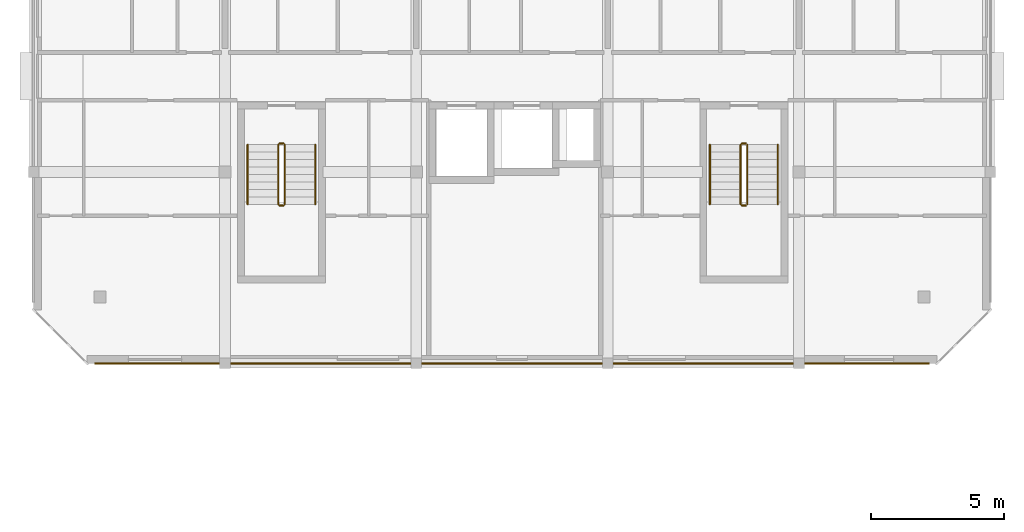
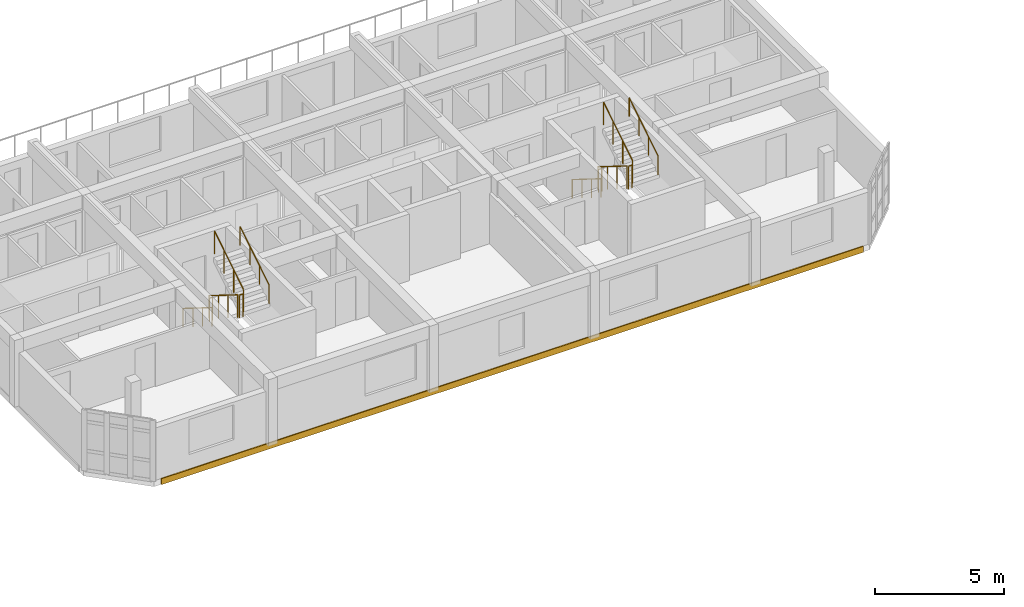
# One storey, part 15 of 16: 12 railings, 1 covering.
"""IFC4 building model written with IfcOpenShell, lengths in metres."""

from ifc_helpers import new_model, si_unit, direction, frame, origin, origin_2d, place, context, subcontext, project, spatial, rectangle, circle, extrude, material, layer, layer_set, type_object, element, save


model = new_model("IFC4")

# Units and contexts
model_context = context("Model", 3, precision=1e-05, world=origin(), true_north=direction((0.0, 1.0)))
body_context = subcontext(model_context, "Body", "Model", "MODEL_VIEW")
ifc_project = project(units=[si_unit("LENGTHUNIT", "METRE"), si_unit("AREAUNIT", "SQUARE_METRE"), si_unit("VOLUMEUNIT", "CUBIC_METRE"), si_unit("PLANEANGLEUNIT", "RADIAN"), si_unit("MASSUNIT", "GRAM", prefix="KILO")], contexts=[model_context])

# Site, building, storey
site_placement = place(None, origin())
site = spatial("IfcSite", under=ifc_project, at=site_placement, CompositionType="ELEMENT")
building_placement = place(site_placement, origin())
building = spatial("IfcBuilding", under=site, at=building_placement, Name="Ochrevale Crest", CompositionType="ELEMENT")
storey_placement = place(building_placement, frame((0.0, 0.0, 46.5)))
storey = spatial("IfcBuildingStorey", under=building, at=storey_placement, Name="L14", CompositionType="ELEMENT", Elevation=46.5)

# Covering
ifc_material_1 = material(Name="Glazed terracotta rainscreen tile", Category="masonry")
ifc_layer = layer(ifc_material_1, 0.048095703125)
ifc_layer_set = layer_set([ifc_layer], Name="Glazed terracotta rainscreen tile")
covering_type = type_object("IfcCoveringType", Name="COV-CLAD-TER", PredefinedType="CLADDING", material=ifc_layer_set)
covering_placement = place(storey_placement, frame((147.60009765625, 71.985595703125, -0.26025390625), z_axis=(0.0, 0.0, 1.0), x_axis=(1.0, 0.0, 0.0)))
element("IfcCovering", 1, at=covering_placement, inside=storey, type_object=covering_type, Name="Block D L14 terracotta slab-edge spandrel cladding", PredefinedType="CLADDING", context=body_context, shape_type="SweptSolid", body=[
    extrude(rectangle(XDim=31.39990234375, YDim=0.06005859375, at=origin_2d()), origin(), (0.0, 0.0, 1.0), 0.280029296875),
])

# Railings
ifc_material_2 = material(Name="Galvanised steel", Category="steel")
railing_type_1 = type_object("IfcRailingType", Name="RL-ST-GUARD", PredefinedType="BALUSTRADE", material=ifc_material_2)
railing_1_placement = place(storey_placement, frame((138.800048828125, 80.22509765625, 0.175048828125)))
element("IfcRailing", 2, at=railing_1_placement, inside=storey, type_object=railing_type_1, Name="L14 ST-D1 stair guard 1", PredefinedType="BALUSTRADE", context=body_context, shape_type="SweptSolid", body=[
    extrude(circle(Radius=0.02392578125, at=origin_2d()), frame((0.0, 0.0, 1.076171875), z_axis=(0.0, -0.848013881152, 0.529974015752), x_axis=(1.0, 0.0, 0.0)), (0.0, 0.0, 1.0), 2.641357421875),
    extrude(circle(Radius=0.02099609375, at=origin_2d()), origin(), (0.0, 0.0, 1.0), 1.052001953125),
    extrude(circle(Radius=0.02099609375, at=origin_2d()), frame((0.0, -0.74658203125, 0.466552734375)), (0.0, 0.0, 1.0), 1.052001953125),
    extrude(circle(Radius=0.02099609375, at=origin_2d()), frame((0.0, -1.493408203125, 0.933349609375)), (0.0, 0.0, 1.0), 1.052001953125),
    extrude(circle(Radius=0.02099609375, at=origin_2d()), frame((0.0, -2.239990234375, 1.39990234375)), (0.0, 0.0, 1.0), 1.052001953125),
])
railing_2_placement = place(storey_placement, frame((138.85009765625, 77.93505859375, 1.574951171875)))
element("IfcRailing", 3, at=railing_2_placement, inside=storey, type_object=railing_type_1, Name="L14 ST-D1 stair guard 2", PredefinedType="BALUSTRADE", context=body_context, shape_type="SweptSolid", body=[
    extrude(circle(Radius=0.02392578125, at=origin_2d()), frame((0.0, 0.0, 1.076171875), z_axis=(1.0, 0.0, 0.0), x_axis=(0.0, 1.0, 0.0)), (0.0, 0.0, 1.0), 0.14990234375),
    extrude(circle(Radius=0.02099609375, at=origin_2d()), origin(), (0.0, 0.0, 1.0), 1.052001953125),
    extrude(circle(Radius=0.02099609375, at=origin_2d()), frame((0.14990234375, 0.0, 0.0)), (0.0, 0.0, 1.0), 1.052001953125),
])
railing_3_placement = place(storey_placement, frame((139.050048828125, 77.985107421875, 1.75)))
element("IfcRailing", 4, at=railing_3_placement, inside=storey, type_object=railing_type_1, Name="L14 ST-D1 stair guard 3", PredefinedType="BALUSTRADE", context=body_context, shape_type="SweptSolid", body=[
    extrude(circle(Radius=0.02392578125, at=origin_2d()), frame((0.0, 0.0, 1.076171875), z_axis=(0.0, 0.848013881152, 0.529974015752), x_axis=(-1.0, 0.0, 0.0)), (0.0, 0.0, 1.0), 2.641357421875),
    extrude(circle(Radius=0.02099609375, at=origin_2d()), origin(), (0.0, 0.0, 1.0), 1.052001953125),
    extrude(circle(Radius=0.02099609375, at=origin_2d()), frame((0.0, 0.74658203125, 0.466552734375)), (0.0, 0.0, 1.0), 1.052001953125),
    extrude(circle(Radius=0.02099609375, at=origin_2d()), frame((0.0, 1.493408203125, 0.933349609375)), (0.0, 0.0, 1.0), 1.052001953125),
    extrude(circle(Radius=0.02099609375, at=origin_2d()), frame((0.0, 2.239990234375, 1.39990234375)), (0.0, 0.0, 1.0), 1.052001953125),
])
railing_4_placement = place(storey_placement, frame((138.85009765625, 80.27490234375, 0.0)))
element("IfcRailing", 5, at=railing_4_placement, inside=storey, type_object=railing_type_1, Name="L14 ST-D1 stair guard 4", PredefinedType="BALUSTRADE", context=body_context, shape_type="SweptSolid", body=[
    extrude(circle(Radius=0.02392578125, at=origin_2d()), frame((0.0, 0.0, 1.076171875), z_axis=(1.0, 0.0, 0.0), x_axis=(0.0, 1.0, 0.0)), (0.0, 0.0, 1.0), 0.14990234375),
    extrude(circle(Radius=0.02099609375, at=origin_2d()), origin(), (0.0, 0.0, 1.0), 1.052001953125),
    extrude(circle(Radius=0.02099609375, at=origin_2d()), frame((0.14990234375, 0.0, 0.0)), (0.0, 0.0, 1.0), 1.052001953125),
])
railing_5_placement = place(storey_placement, frame((156.199951171875, 80.22509765625, 0.175048828125)))
element("IfcRailing", 6, at=railing_5_placement, inside=storey, type_object=railing_type_1, Name="L14 ST-D2 stair guard 1", PredefinedType="BALUSTRADE", context=body_context, shape_type="SweptSolid", body=[
    extrude(circle(Radius=0.02392578125, at=origin_2d()), frame((0.0, 0.0, 1.076171875), z_axis=(0.0, -0.848013881152, 0.529974015752), x_axis=(1.0, 0.0, 0.0)), (0.0, 0.0, 1.0), 2.641357421875),
    extrude(circle(Radius=0.02099609375, at=origin_2d()), origin(), (0.0, 0.0, 1.0), 1.052001953125),
    extrude(circle(Radius=0.02099609375, at=origin_2d()), frame((0.0, -0.74658203125, 0.466552734375)), (0.0, 0.0, 1.0), 1.052001953125),
    extrude(circle(Radius=0.02099609375, at=origin_2d()), frame((0.0, -1.493408203125, 0.933349609375)), (0.0, 0.0, 1.0), 1.052001953125),
    extrude(circle(Radius=0.02099609375, at=origin_2d()), frame((0.0, -2.239990234375, 1.39990234375)), (0.0, 0.0, 1.0), 1.052001953125),
])
railing_6_placement = place(storey_placement, frame((156.25, 77.93505859375, 1.574951171875)))
element("IfcRailing", 7, at=railing_6_placement, inside=storey, type_object=railing_type_1, Name="L14 ST-D2 stair guard 2", PredefinedType="BALUSTRADE", context=body_context, shape_type="SweptSolid", body=[
    extrude(circle(Radius=0.02392578125, at=origin_2d()), frame((0.0, 0.0, 1.076171875), z_axis=(1.0, 0.0, 0.0), x_axis=(0.0, 1.0, 0.0)), (0.0, 0.0, 1.0), 0.14990234375),
    extrude(circle(Radius=0.02099609375, at=origin_2d()), origin(), (0.0, 0.0, 1.0), 1.052001953125),
    extrude(circle(Radius=0.02099609375, at=origin_2d()), frame((0.14990234375, 0.0, 0.0)), (0.0, 0.0, 1.0), 1.052001953125),
])
railing_7_placement = place(storey_placement, frame((156.449951171875, 77.985107421875, 1.75)))
element("IfcRailing", 8, at=railing_7_placement, inside=storey, type_object=railing_type_1, Name="L14 ST-D2 stair guard 3", PredefinedType="BALUSTRADE", context=body_context, shape_type="SweptSolid", body=[
    extrude(circle(Radius=0.02392578125, at=origin_2d()), frame((0.0, 0.0, 1.076171875), z_axis=(0.0, 0.848013881152, 0.529974015752), x_axis=(-1.0, 0.0, 0.0)), (0.0, 0.0, 1.0), 2.641357421875),
    extrude(circle(Radius=0.02099609375, at=origin_2d()), origin(), (0.0, 0.0, 1.0), 1.052001953125),
    extrude(circle(Radius=0.02099609375, at=origin_2d()), frame((0.0, 0.74658203125, 0.466552734375)), (0.0, 0.0, 1.0), 1.052001953125),
    extrude(circle(Radius=0.02099609375, at=origin_2d()), frame((0.0, 1.493408203125, 0.933349609375)), (0.0, 0.0, 1.0), 1.052001953125),
    extrude(circle(Radius=0.02099609375, at=origin_2d()), frame((0.0, 2.239990234375, 1.39990234375)), (0.0, 0.0, 1.0), 1.052001953125),
])
railing_8_placement = place(storey_placement, frame((156.25, 80.27490234375, 0.0)))
element("IfcRailing", 9, at=railing_8_placement, inside=storey, type_object=railing_type_1, Name="L14 ST-D2 stair guard 4", PredefinedType="BALUSTRADE", context=body_context, shape_type="SweptSolid", body=[
    extrude(circle(Radius=0.02392578125, at=origin_2d()), frame((0.0, 0.0, 1.076171875), z_axis=(1.0, 0.0, 0.0), x_axis=(0.0, 1.0, 0.0)), (0.0, 0.0, 1.0), 0.14990234375),
    extrude(circle(Radius=0.02099609375, at=origin_2d()), origin(), (0.0, 0.0, 1.0), 1.052001953125),
    extrude(circle(Radius=0.02099609375, at=origin_2d()), frame((0.14990234375, 0.0, 0.0)), (0.0, 0.0, 1.0), 1.052001953125),
])
ifc_material_3 = material(Name="Stainless steel", Category="steel")
railing_type_2 = type_object("IfcRailingType", Name="RL-ST-HRAIL", PredefinedType="HANDRAIL", material=ifc_material_3)
railing_9_placement = place(storey_placement, frame((137.64990234375, 80.22509765625, 0.175048828125)))
element("IfcRailing", 10, at=railing_9_placement, inside=storey, type_object=railing_type_2, Name="L14 ST-D1 stair handrail 1", PredefinedType="HANDRAIL", context=body_context, shape_type="SweptSolid", body=[
    extrude(circle(Radius=0.02392578125, at=origin_2d()), frame((0.0, 0.0, 0.8759765625), z_axis=(0.0, -0.848013881152, 0.529974015752), x_axis=(1.0, 0.0, 0.0)), (0.0, 0.0, 1.0), 2.641357421875),
    extrude(circle(Radius=0.02099609375, at=origin_2d()), origin(), (0.0, 0.0, 1.0), 0.851806640625),
    extrude(circle(Radius=0.02099609375, at=origin_2d()), frame((0.0, -0.74658203125, 0.466552734375)), (0.0, 0.0, 1.0), 0.851806640625),
    extrude(circle(Radius=0.02099609375, at=origin_2d()), frame((0.0, -1.493408203125, 0.933349609375)), (0.0, 0.0, 1.0), 0.851806640625),
    extrude(circle(Radius=0.02099609375, at=origin_2d()), frame((0.0, -2.239990234375, 1.39990234375)), (0.0, 0.0, 1.0), 0.851806640625),
])
railing_10_placement = place(storey_placement, frame((140.199951171875, 77.985107421875, 1.75)))
element("IfcRailing", 11, at=railing_10_placement, inside=storey, type_object=railing_type_2, Name="L14 ST-D1 stair handrail 2", PredefinedType="HANDRAIL", context=body_context, shape_type="SweptSolid", body=[
    extrude(circle(Radius=0.02392578125, at=origin_2d()), frame((0.0, 0.0, 0.8759765625), z_axis=(0.0, 0.848013881152, 0.529974015752), x_axis=(-1.0, 0.0, 0.0)), (0.0, 0.0, 1.0), 2.641357421875),
    extrude(circle(Radius=0.02099609375, at=origin_2d()), origin(), (0.0, 0.0, 1.0), 0.851806640625),
    extrude(circle(Radius=0.02099609375, at=origin_2d()), frame((0.0, 0.74658203125, 0.466552734375)), (0.0, 0.0, 1.0), 0.851806640625),
    extrude(circle(Radius=0.02099609375, at=origin_2d()), frame((0.0, 1.493408203125, 0.933349609375)), (0.0, 0.0, 1.0), 0.851806640625),
    extrude(circle(Radius=0.02099609375, at=origin_2d()), frame((0.0, 2.239990234375, 1.39990234375)), (0.0, 0.0, 1.0), 0.851806640625),
])
railing_11_placement = place(storey_placement, frame((155.050048828125, 80.22509765625, 0.175048828125)))
element("IfcRailing", 12, at=railing_11_placement, inside=storey, type_object=railing_type_2, Name="L14 ST-D2 stair handrail 1", PredefinedType="HANDRAIL", context=body_context, shape_type="SweptSolid", body=[
    extrude(circle(Radius=0.02392578125, at=origin_2d()), frame((0.0, 0.0, 0.8759765625), z_axis=(0.0, -0.848013881152, 0.529974015752), x_axis=(1.0, 0.0, 0.0)), (0.0, 0.0, 1.0), 2.641357421875),
    extrude(circle(Radius=0.02099609375, at=origin_2d()), origin(), (0.0, 0.0, 1.0), 0.851806640625),
    extrude(circle(Radius=0.02099609375, at=origin_2d()), frame((0.0, -0.74658203125, 0.466552734375)), (0.0, 0.0, 1.0), 0.851806640625),
    extrude(circle(Radius=0.02099609375, at=origin_2d()), frame((0.0, -1.493408203125, 0.933349609375)), (0.0, 0.0, 1.0), 0.851806640625),
    extrude(circle(Radius=0.02099609375, at=origin_2d()), frame((0.0, -2.239990234375, 1.39990234375)), (0.0, 0.0, 1.0), 0.851806640625),
])
railing_12_placement = place(storey_placement, frame((157.60009765625, 77.985107421875, 1.75)))
element("IfcRailing", 13, at=railing_12_placement, inside=storey, type_object=railing_type_2, Name="L14 ST-D2 stair handrail 2", PredefinedType="HANDRAIL", context=body_context, shape_type="SweptSolid", body=[
    extrude(circle(Radius=0.02392578125, at=origin_2d()), frame((0.0, 0.0, 0.8759765625), z_axis=(0.0, 0.848013881152, 0.529974015752), x_axis=(-1.0, 0.0, 0.0)), (0.0, 0.0, 1.0), 2.641357421875),
    extrude(circle(Radius=0.02099609375, at=origin_2d()), origin(), (0.0, 0.0, 1.0), 0.851806640625),
    extrude(circle(Radius=0.02099609375, at=origin_2d()), frame((0.0, 0.74658203125, 0.466552734375)), (0.0, 0.0, 1.0), 0.851806640625),
    extrude(circle(Radius=0.02099609375, at=origin_2d()), frame((0.0, 1.493408203125, 0.933349609375)), (0.0, 0.0, 1.0), 0.851806640625),
    extrude(circle(Radius=0.02099609375, at=origin_2d()), frame((0.0, 2.239990234375, 1.39990234375)), (0.0, 0.0, 1.0), 0.851806640625),
])

save(model, "model.ifc")
